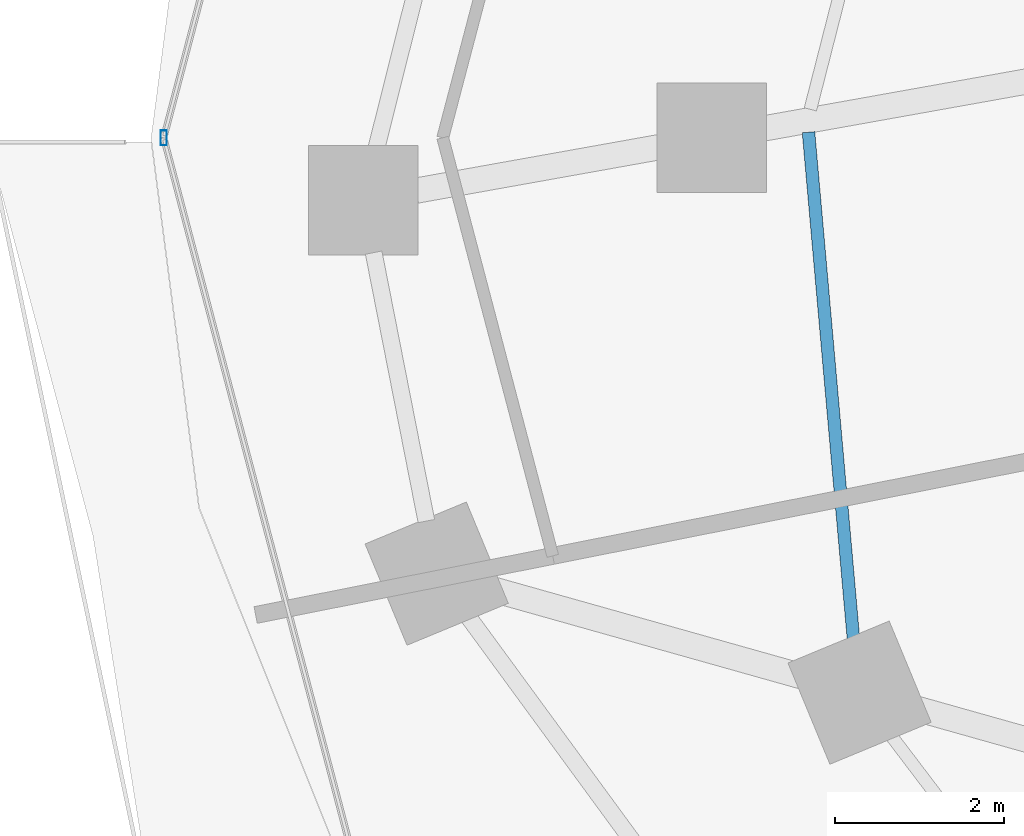
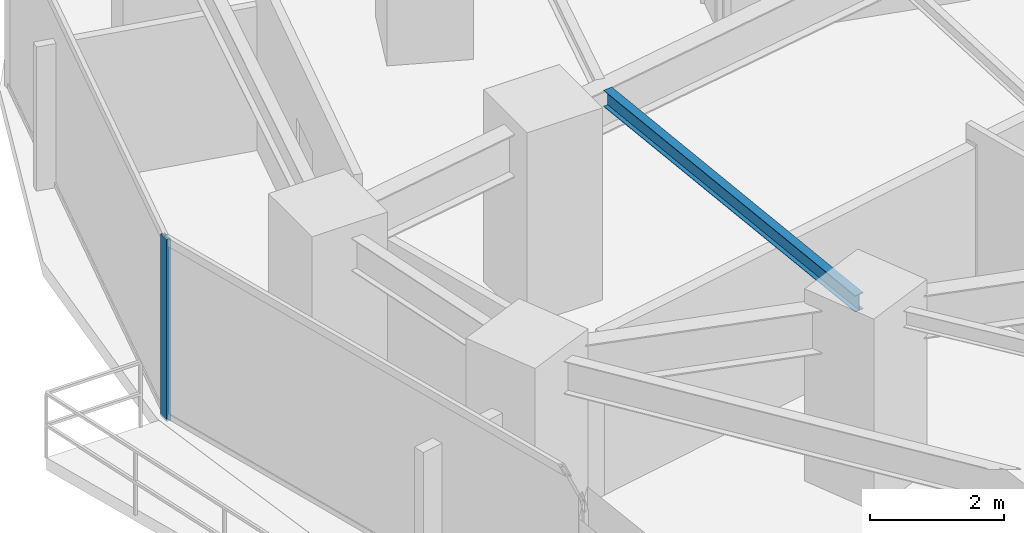
# One storey, part 7 of 30: 1 beam, 1 member, 1 element without a shape of its own.
"""IFC4 building model written with IfcOpenShell, lengths in metres."""

from ifc_helpers import new_model, si_unit, direction, frame, origin, origin_2d, place, context, subcontext, project, spatial, hollow_rectangle, i_section, extrude, material, material_profile, profile_set, type_object, element, aggregate, save


model = new_model("IFC4")

# Units and contexts
model_context = context("Model", 3, precision=1e-05, world=origin(), true_north=direction((0.0, 1.0)))
body_context = subcontext(model_context, "Body", "Model", "MODEL_VIEW")
ifc_project = project(units=[si_unit("LENGTHUNIT", "METRE"), si_unit("AREAUNIT", "SQUARE_METRE"), si_unit("VOLUMEUNIT", "CUBIC_METRE"), si_unit("PLANEANGLEUNIT", "RADIAN"), si_unit("MASSUNIT", "GRAM", prefix="KILO")], contexts=[model_context])

# Site, building, storey
site_placement = place(None, origin())
site = spatial("IfcSite", under=ifc_project, at=site_placement, CompositionType="ELEMENT")
building_placement = place(site_placement, origin())
building = spatial("IfcBuilding", under=site, at=building_placement, Name="Vorneva Point Tower", CompositionType="ELEMENT")
storey_placement = place(building_placement, frame((0.0, 0.0, 41.5)))
storey = spatial("IfcBuildingStorey", under=building, at=storey_placement, Name="L10", CompositionType="ELEMENT", Elevation=41.5)

# Beam
ifc_material_1 = material(Name="Steel S355", Category="steel")
ifc_material_profile_1 = material_profile(ifc_material_1, i_section(OverallWidth=0.14892578125, OverallDepth=0.298095703125, WebThickness=0.005615234375, FlangeThickness=0.008056640625, at=origin_2d()), Name="30B1")
ifc_profile_set_1 = profile_set([ifc_material_profile_1], Name="Steel S355")
beam_type = type_object("IfcBeamType", Name="BM-JST-30B1", PredefinedType="JOIST", material=ifc_profile_set_1)
beam_placement = place(storey_placement, frame((16.098876953125, 26.06591796875, 3.091064453125), z_axis=(0.088398866628, -0.996085157192, 0.0), x_axis=(0.996085157192, 0.088398866628, 0.0)))
element("IfcBeam", 1, at=beam_placement, inside=storey, type_object=beam_type, Name="L10 Secondary Floor Beam 1.09", PredefinedType="JOIST", context=body_context, shape_type="SweptSolid", body=[
    extrude(i_section(OverallWidth=0.14892578125, OverallDepth=0.298095703125, WebThickness=0.005615234375, FlangeThickness=0.008056640625, at=origin_2d()), origin(), (0.0, 0.0, 1.0), 6.53173828125),
])

# Curtain wall, member
ifc_material_2 = material(Name="Pale anodised aluminium", Category="aluminium")
curtain_wall_type = type_object("IfcCurtainWallType", Name="CW-HTL-SYS", PredefinedType="NOTDEFINED", material=ifc_material_2)
curtain_wall_placement = place(storey_placement, origin())
curtain_wall = element("IfcCurtainWall", 2, at=curtain_wall_placement, inside=storey, type_object=curtain_wall_type, Name="L10 Unitised Curtain Wall CW-L10-R03", PredefinedType="NOTDEFINED")
ifc_material_profile_2 = material_profile(ifc_material_2, hollow_rectangle(XDim=0.074951171875, YDim=0.179931640625, WallThickness=0.00390625, at=origin_2d()), Name="AL-MUL 180x75x4")
ifc_profile_set_2 = profile_set([ifc_material_profile_2], Name="Pale anodised aluminium")
member_type = type_object("IfcMemberType", Name="CW-MUL-180", PredefinedType="MULLION", material=ifc_profile_set_2)
member_placement = place(storey_placement, frame((8.449951171875, 26.0, -0.0400390625), z_axis=(0.0, 0.0, 1.0), x_axis=(1.0, 0.0, 0.0)))
member = element("IfcMember", 3, at=member_placement, type_object=member_type, Name="CW-L10-R03 Mullion 03", PredefinedType="MULLION", context=body_context, shape_type="SweptSolid", body=[
    extrude(hollow_rectangle(XDim=0.074951171875, YDim=0.179931640625, WallThickness=0.00390625, at=origin_2d()), origin(), (0.0, 0.0, 1.0), 3.31005859375),
])
aggregate(curtain_wall, [member])

save(model, "model.ifc")
